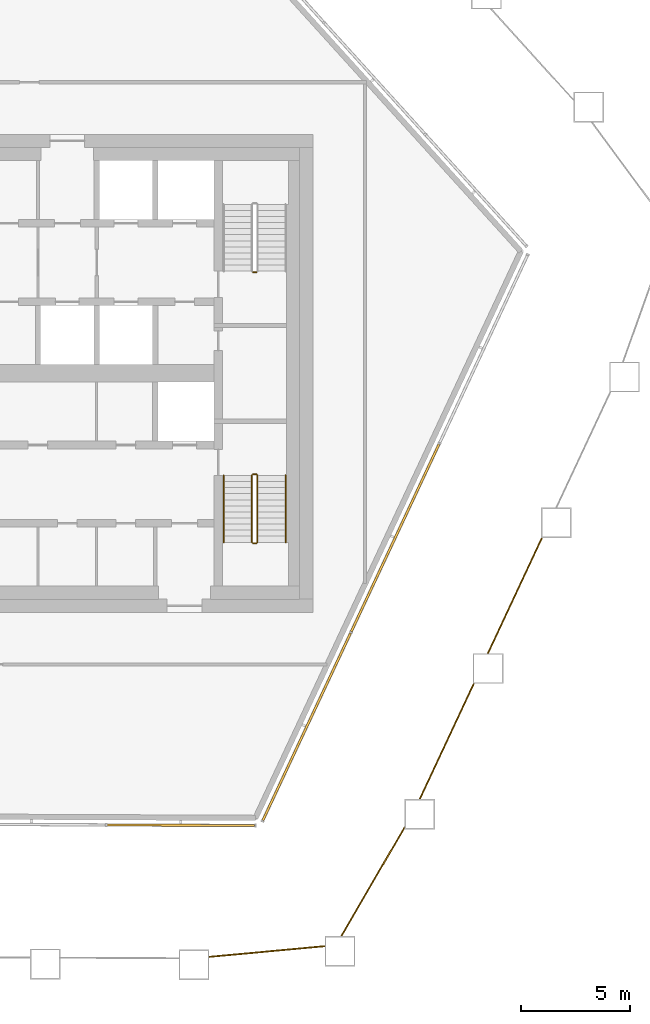
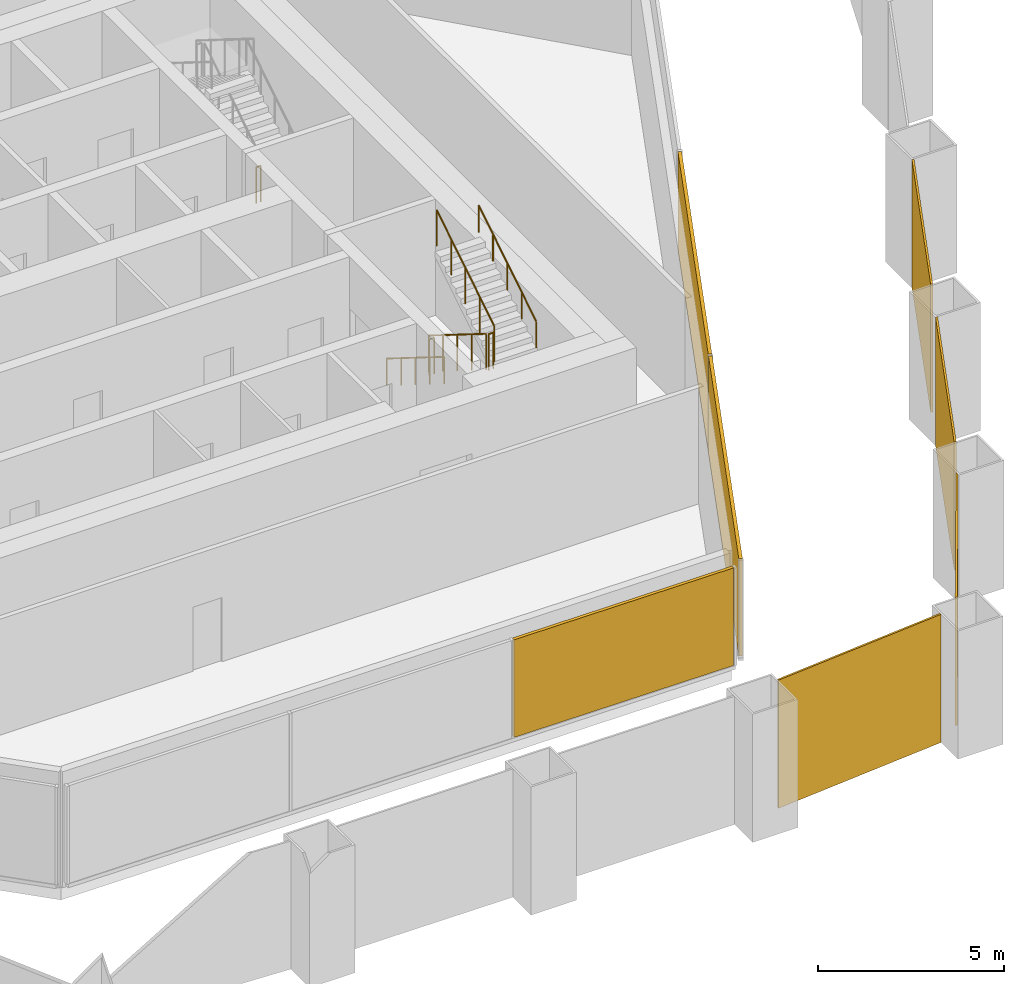
# One storey, part 14 of 18: 7 coverings, 7 railings, 2 elements without a shape of their own.
"""IFC4 building model written with IfcOpenShell, lengths in metres."""

from ifc_helpers import new_model, si_unit, direction, frame, origin, origin_2d, place, context, subcontext, project, spatial, polyline, rectangle, circle, outline, extrude, material, layer, layer_set, type_object, element, aggregate, save


model = new_model("IFC4")

# Units and contexts
model_context = context("Model", 3, precision=1e-05, world=origin(), true_north=direction((0.0, 1.0)))
body_context = subcontext(model_context, "Body", "Model", "MODEL_VIEW")
ifc_project = project(units=[si_unit("LENGTHUNIT", "METRE"), si_unit("AREAUNIT", "SQUARE_METRE"), si_unit("VOLUMEUNIT", "CUBIC_METRE"), si_unit("PLANEANGLEUNIT", "RADIAN"), si_unit("MASSUNIT", "GRAM", prefix="KILO")], contexts=[model_context])

# Site, building, storey
site_placement = place(None, origin())
site = spatial("IfcSite", under=ifc_project, at=site_placement, CompositionType="ELEMENT")
building_placement = place(site_placement, origin())
building = spatial("IfcBuilding", under=site, at=building_placement, Name="Dongbaek Canopy Tower", CompositionType="ELEMENT")
storey_placement = place(building_placement, frame((0.0, 0.0, 367.39990234375)))
storey = spatial("IfcBuildingStorey", under=building, at=storey_placement, Name="L79", CompositionType="ELEMENT", Elevation=367.39990234375)

# Coverings
ifc_material_1 = material(Name="Perforated pale metal")
ifc_layer_1 = layer(ifc_material_1, 0.06005859375)
ifc_layer_set_1 = layer_set([ifc_layer_1], Name="Crown plant screen")
covering_type_1 = type_object("IfcCoveringType", Name="Crown plant screen", PredefinedType="CLADDING", material=ifc_layer_set_1)
covering_1_placement = place(storey_placement, origin())
element("IfcCovering", 1, at=covering_1_placement, inside=storey, type_object=covering_type_1, Name="Crown plant screen 8 L79", PredefinedType="CLADDING", context=body_context, shape_type="SweptSolid", body=[
    extrude(outline(polyline([(9.23388671875, -26.891357421875), (9.23388671875, -26.8310546875), (14.552001953125, -26.340087890625), (14.552001953125, -26.400390625), (9.23388671875, -26.891357421875)])), origin(), (0.0, 0.0, 1.0), 4.2001953125),
])
covering_2_placement = place(storey_placement, origin())
element("IfcCovering", 2, at=covering_2_placement, inside=storey, type_object=covering_type_1, Name="Crown plant screen 9 L79", PredefinedType="CLADDING", context=body_context, shape_type="SweptSolid", body=[
    extrude(outline(polyline([(15.346923828125, -25.906982421875), (15.277587890625, -25.906982421875), (18.22509765625, -20.8427734375), (18.22509765625, -20.9619140625), (15.346923828125, -25.906982421875)])), origin(), (0.0, 0.0, 1.0), 4.2001953125),
])
covering_3_placement = place(storey_placement, origin())
element("IfcCovering", 3, at=covering_3_placement, inside=storey, type_object=covering_type_1, Name="Crown plant screen 10 L79", PredefinedType="CLADDING", context=body_context, shape_type="SweptSolid", body=[
    extrude(outline(polyline([(18.954833984375, -19.595947265625), (18.888671875, -19.595947265625), (21.37548828125, -14.2880859375), (21.44189453125, -14.2880859375), (18.954833984375, -19.595947265625)])), origin(), (0.0, 0.0, 1.0), 4.2001953125),
])
covering_4_placement = place(storey_placement, origin())
element("IfcCovering", 4, at=covering_4_placement, inside=storey, type_object=covering_type_1, Name="Crown plant screen 11 L79", PredefinedType="CLADDING", context=body_context, shape_type="SweptSolid", body=[
    extrude(outline(polyline([(22.09765625, -12.887939453125), (22.031494140625, -12.887939453125), (24.517822265625, -7.5791015625), (24.583984375, -7.5791015625), (22.09765625, -12.887939453125)])), origin(), (0.0, 0.0, 1.0), 4.2001953125),
])

# Curtain wall, covering
ifc_material_2 = material(Name="Aluminium 6063-T6 pale anodised", Category="aluminium")
ifc_layer_2 = layer(ifc_material_2, 0.14990234375)
ifc_layer_set_2 = layer_set([ifc_layer_2], Name="CW-7 louvre curtain wall")
curtain_wall_type = type_object("IfcCurtainWallType", Name="CW-7 louvre curtain wall", PredefinedType="NOTDEFINED", material=ifc_layer_set_2)
curtain_wall_1_placement = place(storey_placement, origin())
curtain_wall_1 = element("IfcCurtainWall", 5, at=curtain_wall_1_placement, inside=storey, type_object=curtain_wall_type, Name="CW-7 louvre wall L79 F0", PredefinedType="NOTDEFINED")
ifc_material_3 = material(Name="Aluminium 6063-T6 pale metal louvre blades", Category="aluminium")
ifc_layer_3 = layer(ifc_material_3, 0.10009765625)
ifc_layer_set_3 = layer_set([ifc_layer_3], Name="Louvre LV bank 100 x 3200")
covering_type_2 = type_object("IfcCoveringType", Name="Louvre LV bank 100 x 3200", PredefinedType="CLADDING", material=ifc_layer_set_3)
covering_5_placement = place(storey_placement, frame((7.927001953125, -20.803466796875, 0.30029296875), z_axis=(0.0, 0.0, 1.0), x_axis=(0.999990026762, -0.004466136555, 0.0)))
covering_5 = element("IfcCovering", 6, at=covering_5_placement, type_object=covering_type_2, Name="Louvre L79 F0.1.3", PredefinedType="CLADDING", context=body_context, shape_type="SweptSolid", body=[
    extrude(rectangle(XDim=6.787841796875, YDim=0.10009765625, at=origin_2d()), origin(), (0.0, 0.0, 1.0), 3.199951171875),
])
aggregate(curtain_wall_1, [covering_5])

# Curtain wall, coverings
curtain_wall_2_placement = place(storey_placement, origin())
curtain_wall_2 = element("IfcCurtainWall", 7, at=curtain_wall_2_placement, inside=storey, type_object=curtain_wall_type, Name="CW-7 louvre wall L79 F1", PredefinedType="NOTDEFINED")
covering_6_placement = place(storey_placement, frame((13.72021484375, -16.27001953125, 0.30029296875), z_axis=(0.0, 0.0, 1.0), x_axis=(0.42412286138, 0.905604659029, 0.0)))
covering_6 = element("IfcCovering", 8, at=covering_6_placement, type_object=covering_type_2, Name="Louvre L79 F1.1.1", PredefinedType="CLADDING", context=body_context, shape_type="SweptSolid", body=[
    extrude(rectangle(XDim=9.510498046875, YDim=0.10009765625, at=origin_2d()), origin(), (0.0, 0.0, 1.0), 3.199951171875),
])
covering_7_placement = place(storey_placement, frame((17.7919921875, -7.575927734375, 0.30029296875), z_axis=(0.0, 0.0, 1.0), x_axis=(0.42412286138, 0.905604659029, 0.0)))
covering_7 = element("IfcCovering", 9, at=covering_7_placement, type_object=covering_type_2, Name="Louvre L79 F1.1.2", PredefinedType="CLADDING", context=body_context, shape_type="SweptSolid", body=[
    extrude(rectangle(XDim=9.510498046875, YDim=0.10009765625, at=origin_2d()), origin(), (0.0, 0.0, 1.0), 3.199951171875),
])
aggregate(curtain_wall_2, [covering_6, covering_7])

# Railings
ifc_material_4 = material(Name="Stainless steel tube and balusters", Category="steel")
railing_type_1 = type_object("IfcRailingType", Name="Stair guard 1200", PredefinedType="GUARDRAIL", material=ifc_material_4)
railing_1_placement = place(storey_placement, frame((11.39990234375, 4.64990234375, 0.0)))
element("IfcRailing", 10, at=railing_1_placement, inside=storey, type_object=railing_type_1, Name="L79 ST-A stair guard 4", PredefinedType="GUARDRAIL", context=body_context, shape_type="SweptSolid", body=[
    extrude(circle(Radius=0.02392578125, at=origin_2d()), frame((0.0, 0.0, 1.17578125), z_axis=(-1.0, 0.0, 0.0), x_axis=(0.0, -1.0, 0.0)), (0.0, 0.0, 1.0), 0.14990234375),
    extrude(circle(Radius=0.02099609375, at=origin_2d()), origin(), (0.0, 0.0, 1.0), 1.15185546875),
    extrude(circle(Radius=0.02099609375, at=origin_2d()), frame((-0.14990234375, 0.0, 0.0)), (0.0, 0.0, 1.0), 1.15185546875),
])
railing_2_placement = place(storey_placement, frame((11.199951171875, -4.699951171875, 0.175048828125)))
element("IfcRailing", 11, at=railing_2_placement, inside=storey, type_object=railing_type_1, Name="L79 ST-B stair guard 1", PredefinedType="GUARDRAIL", context=body_context, shape_type="SweptSolid", body=[
    extrude(circle(Radius=0.02392578125, at=origin_2d()), frame((0.0, 0.0, 1.17578125), z_axis=(0.0, -0.847998304005, 0.529998940003), x_axis=(1.0, 0.0, 0.0)), (0.0, 0.0, 1.0), 3.632080078125),
    extrude(circle(Radius=0.02099609375, at=origin_2d()), origin(), (0.0, 0.0, 1.0), 1.15185546875),
    extrude(circle(Radius=0.02099609375, at=origin_2d()), frame((0.0, -0.77001953125, 0.481201171875)), (0.0, 0.0, 1.0), 1.15185546875),
    extrude(circle(Radius=0.02099609375, at=origin_2d()), frame((0.0, -1.5400390625, 0.96240234375)), (0.0, 0.0, 1.0), 1.15185546875),
    extrude(circle(Radius=0.02099609375, at=origin_2d()), frame((0.0, -2.31005859375, 1.44384765625)), (0.0, 0.0, 1.0), 1.15185546875),
    extrude(circle(Radius=0.02099609375, at=origin_2d()), frame((0.0, -3.080078125, 1.925048828125)), (0.0, 0.0, 1.0), 1.15185546875),
])
railing_3_placement = place(storey_placement, frame((11.25, -7.830078125, 2.10009765625)))
element("IfcRailing", 12, at=railing_3_placement, inside=storey, type_object=railing_type_1, Name="L79 ST-B stair guard 2", PredefinedType="GUARDRAIL", context=body_context, shape_type="SweptSolid", body=[
    extrude(circle(Radius=0.02392578125, at=origin_2d()), frame((0.0, 0.0, 1.17578125), z_axis=(1.0, 0.0, 0.0), x_axis=(0.0, 1.0, 0.0)), (0.0, 0.0, 1.0), 0.14990234375),
    extrude(circle(Radius=0.02099609375, at=origin_2d()), origin(), (0.0, 0.0, 1.0), 1.15185546875),
    extrude(circle(Radius=0.02099609375, at=origin_2d()), frame((0.14990234375, 0.0, 0.0)), (0.0, 0.0, 1.0), 1.15185546875),
])
railing_4_placement = place(storey_placement, frame((11.449951171875, -7.780029296875, 2.275146484375)))
element("IfcRailing", 13, at=railing_4_placement, inside=storey, type_object=railing_type_1, Name="L79 ST-B stair guard 3", PredefinedType="GUARDRAIL", context=body_context, shape_type="SweptSolid", body=[
    extrude(circle(Radius=0.02392578125, at=origin_2d()), frame((0.0, 0.0, 1.17578125), z_axis=(0.0, 0.847998304005, 0.529998940003), x_axis=(-1.0, 0.0, 0.0)), (0.0, 0.0, 1.0), 3.632080078125),
    extrude(circle(Radius=0.02099609375, at=origin_2d()), origin(), (0.0, 0.0, 1.0), 1.15185546875),
    extrude(circle(Radius=0.02099609375, at=origin_2d()), frame((0.0, 0.77001953125, 0.481201171875)), (0.0, 0.0, 1.0), 1.15185546875),
    extrude(circle(Radius=0.02099609375, at=origin_2d()), frame((0.0, 1.5400390625, 0.96240234375)), (0.0, 0.0, 1.0), 1.15185546875),
    extrude(circle(Radius=0.02099609375, at=origin_2d()), frame((0.0, 2.31005859375, 1.44384765625)), (0.0, 0.0, 1.0), 1.15185546875),
    extrude(circle(Radius=0.02099609375, at=origin_2d()), frame((0.0, 3.080078125, 1.925048828125)), (0.0, 0.0, 1.0), 1.15185546875),
])
railing_5_placement = place(storey_placement, frame((11.25, -4.64990234375, 0.0)))
element("IfcRailing", 14, at=railing_5_placement, inside=storey, type_object=railing_type_1, Name="L79 ST-B stair guard 4", PredefinedType="GUARDRAIL", context=body_context, shape_type="SweptSolid", body=[
    extrude(circle(Radius=0.02392578125, at=origin_2d()), frame((0.0, 0.0, 1.17578125), z_axis=(1.0, 0.0, 0.0), x_axis=(0.0, 1.0, 0.0)), (0.0, 0.0, 1.0), 0.14990234375),
    extrude(circle(Radius=0.02099609375, at=origin_2d()), origin(), (0.0, 0.0, 1.0), 1.15185546875),
    extrude(circle(Radius=0.02099609375, at=origin_2d()), frame((0.14990234375, 0.0, 0.0)), (0.0, 0.0, 1.0), 1.15185546875),
])
ifc_material_5 = material(Name="Stainless steel tube", Category="steel")
railing_type_2 = type_object("IfcRailingType", Name="Stair handrail 900", PredefinedType="HANDRAIL", material=ifc_material_5)
railing_6_placement = place(storey_placement, frame((9.89990234375, -4.699951171875, 0.175048828125)))
element("IfcRailing", 15, at=railing_6_placement, inside=storey, type_object=railing_type_2, Name="L79 ST-B stair handrail 1", PredefinedType="HANDRAIL", context=body_context, shape_type="SweptSolid", body=[
    extrude(circle(Radius=0.02392578125, at=origin_2d()), frame((0.0, 0.0, 0.8759765625), z_axis=(0.0, -0.847998304005, 0.529998940003), x_axis=(1.0, 0.0, 0.0)), (0.0, 0.0, 1.0), 3.632080078125),
    extrude(circle(Radius=0.02099609375, at=origin_2d()), origin(), (0.0, 0.0, 1.0), 0.851806640625),
    extrude(circle(Radius=0.02099609375, at=origin_2d()), frame((0.0, -0.77001953125, 0.481201171875)), (0.0, 0.0, 1.0), 0.851806640625),
    extrude(circle(Radius=0.02099609375, at=origin_2d()), frame((0.0, -1.5400390625, 0.96240234375)), (0.0, 0.0, 1.0), 0.851806640625),
    extrude(circle(Radius=0.02099609375, at=origin_2d()), frame((0.0, -2.31005859375, 1.44384765625)), (0.0, 0.0, 1.0), 0.851806640625),
    extrude(circle(Radius=0.02099609375, at=origin_2d()), frame((0.0, -3.080078125, 1.925048828125)), (0.0, 0.0, 1.0), 0.851806640625),
])
railing_7_placement = place(storey_placement, frame((12.75, -7.780029296875, 2.275146484375)))
element("IfcRailing", 16, at=railing_7_placement, inside=storey, type_object=railing_type_2, Name="L79 ST-B stair handrail 2", PredefinedType="HANDRAIL", context=body_context, shape_type="SweptSolid", body=[
    extrude(circle(Radius=0.02392578125, at=origin_2d()), frame((0.0, 0.0, 0.8759765625), z_axis=(0.0, 0.847998304005, 0.529998940003), x_axis=(-1.0, 0.0, 0.0)), (0.0, 0.0, 1.0), 3.632080078125),
    extrude(circle(Radius=0.02099609375, at=origin_2d()), origin(), (0.0, 0.0, 1.0), 0.851806640625),
    extrude(circle(Radius=0.02099609375, at=origin_2d()), frame((0.0, 0.77001953125, 0.481201171875)), (0.0, 0.0, 1.0), 0.851806640625),
    extrude(circle(Radius=0.02099609375, at=origin_2d()), frame((0.0, 1.5400390625, 0.96240234375)), (0.0, 0.0, 1.0), 0.851806640625),
    extrude(circle(Radius=0.02099609375, at=origin_2d()), frame((0.0, 2.31005859375, 1.44384765625)), (0.0, 0.0, 1.0), 0.851806640625),
    extrude(circle(Radius=0.02099609375, at=origin_2d()), frame((0.0, 3.080078125, 1.925048828125)), (0.0, 0.0, 1.0), 0.851806640625),
])

save(model, "model.ifc")
